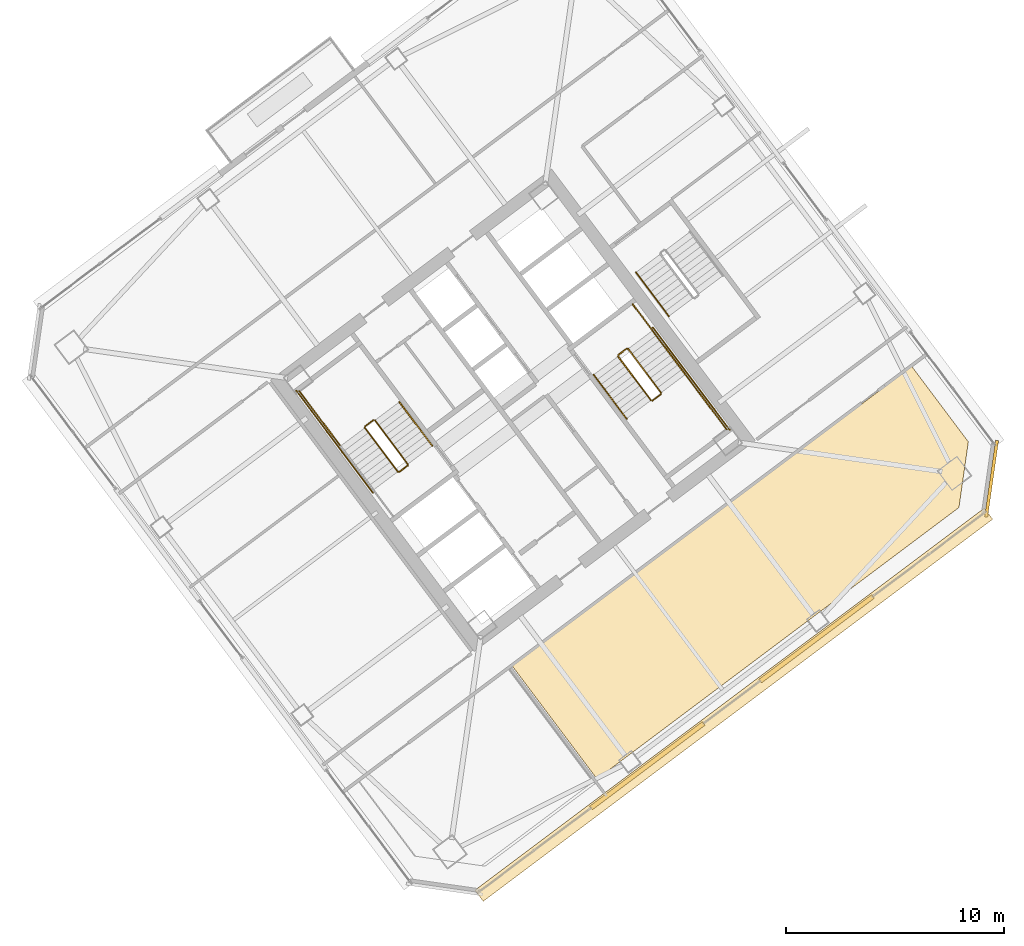
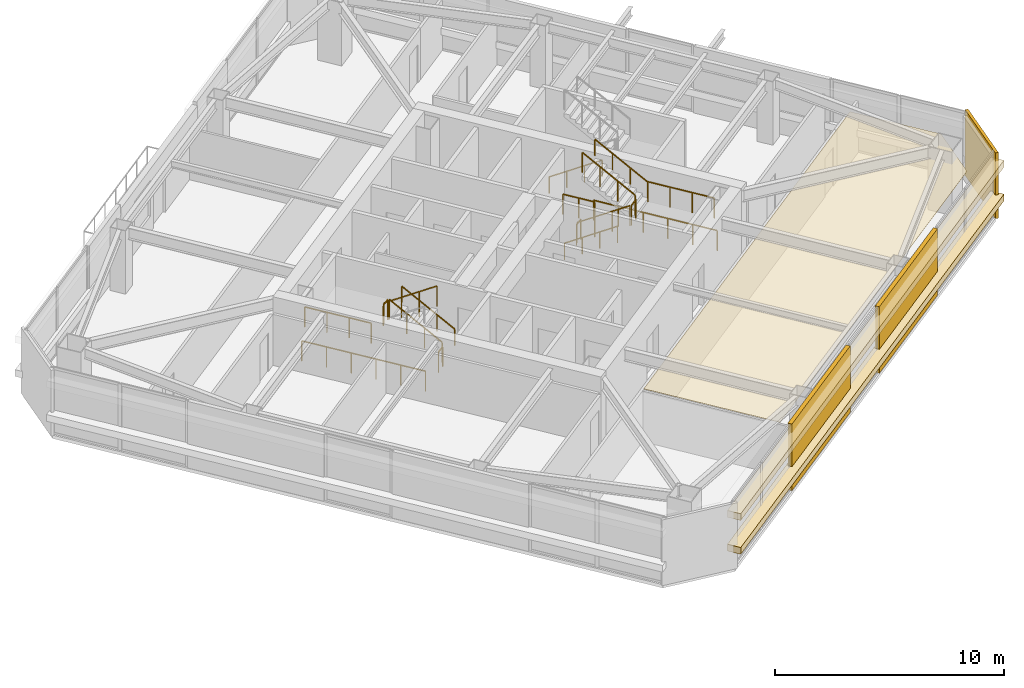
# One storey, part 42 of 44: 17 railings, 6 coverings.
"""IFC4 building model written with IfcOpenShell, lengths in metres."""

from ifc_helpers import new_model, si_unit, direction, frame, origin, origin_2d, place, context, subcontext, project, spatial, polyline, rectangle, outline, extrude, material, layer, layer_set, type_object, element, save


model = new_model("IFC4")

# Units and contexts
model_context = context("Model", 3, precision=1e-05, world=origin(), true_north=direction((0.0, 1.0)))
body_context = subcontext(model_context, "Body", "Model", "MODEL_VIEW")
ifc_project = project(units=[si_unit("LENGTHUNIT", "METRE"), si_unit("AREAUNIT", "SQUARE_METRE"), si_unit("VOLUMEUNIT", "CUBIC_METRE"), si_unit("PLANEANGLEUNIT", "RADIAN"), si_unit("MASSUNIT", "GRAM", prefix="KILO")], contexts=[model_context])

# Site, building, storey
site_placement = place(None, origin())
site = spatial("IfcSite", under=ifc_project, at=site_placement, CompositionType="ELEMENT")
building_placement = place(site_placement, origin())
building = spatial("IfcBuilding", under=site, at=building_placement, Name="Tashvorn Skyway Center", CompositionType="ELEMENT")
storey_placement = place(building_placement, frame((0.0, 0.0, 181.85009765625)))
storey = spatial("IfcBuildingStorey", under=building, at=storey_placement, Name="L49", CompositionType="ELEMENT", Elevation=181.85009765625)

# Coverings
ifc_material_1 = material(Name="Precast concrete C40/50", Category="concrete")
ifc_layer_1 = layer(ifc_material_1, 0.199951171875)
ifc_layer_set_1 = layer_set([ifc_layer_1], Name="Precast concrete C40/50")
covering_type_1 = type_object("IfcCoveringType", Name="COV-BRACE-CLAD", PredefinedType="CLADDING", material=ifc_layer_set_1)
for number, where, z_axis, x_axis, name in (
    (1, (127.9560546875, 21.491943359375, 0.0), (0.0, 0.0, 1.0), (-0.799999996291, -0.600000004945, 0.0), "Tower 2 L49 South Unitised Curtain Wall Mega-Brace Cladding Band 1"),
    (2, (120.179931640625, 15.659912109375, 0.0), (0.0, 0.0, 1.0), (-0.799999996291, -0.600000004945, 0.0), "Tower 2 L49 South Unitised Curtain Wall Mega-Brace Cladding Band 2"),
):
    element("IfcCovering", number, at=place(storey_placement, frame(where, z_axis=z_axis, x_axis=x_axis)), inside=storey, type_object=covering_type_1, Name=name, PredefinedType="CLADDING", context=body_context, shape_type="SweptSolid", body=[
        extrude(rectangle(XDim=6.47998046875, YDim=0.199951171875, at=origin_2d()), origin(), (0.0, 0.0, 1.0), 3.550048828125),
    ])
ifc_material_2 = material(Name="Mineral-fibre acoustic ceiling tile on suspended grid")
ifc_layer_2 = layer(ifc_material_2, 0.02001953125)
ifc_layer_set_2 = layer_set([ifc_layer_2], Name="Mineral-fibre acoustic ceiling tile on suspended grid")
covering_type_2 = type_object("IfcCoveringType", Name="COV-CEIL-20", PredefinedType="CEILING", material=ifc_layer_set_2)
covering_1_placement = place(storey_placement, frame((0.0, 0.0, 2.702880859375)))
element("IfcCovering", 3, at=covering_1_placement, inside=storey, type_object=covering_type_2, Name="Tower 2 L49 Security Control Room Acoustic Ceiling", PredefinedType="CEILING", context=body_context, shape_type="SweptSolid", body=[
    extrude(outline(polyline([(117.864013671875, 15.048095703125), (113.969970703125, 20.239990234375), (132.337890625, 34.01611328125), (134.93603515625, 30.552001953125), (134.50390625, 27.528076171875), (117.864013671875, 15.048095703125)])), origin(), (0.0, 0.0, 1.0), 0.02001953125),
])
ifc_material_3 = material(Name="Perforated ceramic-coated bronze aluminium solar screen", Category="aluminium")
ifc_layer_3 = layer(ifc_material_3, 0.85009765625)
ifc_layer_set_3 = layer_set([ifc_layer_3], Name="Perforated ceramic-coated bronze aluminium solar screen")
covering_type_3 = type_object("IfcCoveringType", Name="COV-SOLAR-BAND", PredefinedType="CLADDING", material=ifc_layer_set_3)
for number, where, z_axis, x_axis, name in (
    (4, (124.152099609375, 18.464111328125, 0.919921875), (0.0, 0.0, 1.0), (-0.799999996291, -0.600000004945, 0.0), "L49 Perforated Ceramic-Metal Solar Screen Louvre Band South 1"),
    (5, (124.152099609375, 18.464111328125, 2.7197265625), (0.0, 0.0, 1.0), (-0.799999996291, -0.600000004945, 0.0), "L49 Perforated Ceramic-Metal Solar Screen Louvre Band South 2"),
):
    element("IfcCovering", number, at=place(storey_placement, frame(where, z_axis=z_axis, x_axis=x_axis)), inside=storey, type_object=covering_type_3, Name=name, PredefinedType="CLADDING", context=body_context, shape_type="SweptSolid", body=[
        extrude(rectangle(XDim=29.280029296875, YDim=0.639892578125, at=origin_2d()), origin(), (0.0, 0.0, 1.0), 0.360107421875),
    ])
ifc_layer_4 = layer(ifc_material_1, 0.35009765625)
ifc_layer_set_4 = layer_set([ifc_layer_4], Name="Precast concrete C40/50")
covering_type_4 = type_object("IfcCoveringType", Name="COV-STONE-TRIM", PredefinedType="CLADDING", material=ifc_layer_set_4)
covering_2_placement = place(storey_placement, frame((136.008056640625, 28.85595703125, 0.02001953125), z_axis=(0.0, 0.0, 1.0), x_axis=(0.141421350118, 0.989949494535, 0.0)))
element("IfcCovering", 6, at=covering_2_placement, inside=storey, type_object=covering_type_4, Name="Tower 2 L49 SE Mojave Limestone Corner Quoin", PredefinedType="CLADDING", context=body_context, shape_type="SweptSolid", body=[
    extrude(rectangle(XDim=3.55419921875, YDim=0.139892578125, at=origin_2d()), origin(), (0.0, 0.0, 1.0), 3.510009765625),
])

# Railings
ifc_material_4 = material(Name="Brushed stainless steel 316", Category="steel")
railing_type_1 = type_object("IfcRailingType", Name="RAIL-HAND-920", PredefinedType="HANDRAIL", material=ifc_material_4)
railing_1_placement = place(storey_placement, frame((110.2880859375, 30.365966796875, 0.177490234375)))
element("IfcRailing", 7, at=railing_1_placement, inside=storey, type_object=railing_type_1, Name="L49 ST-T2-1 stair handrail 1", PredefinedType="HANDRAIL", context=body_context, shape_type="SweptSolid", body=[
    extrude(rectangle(XDim=0.048095703125, YDim=0.048095703125, at=origin_2d()), frame((0.0, 0.0, 0.8759765625), z_axis=(-0.506801609611, 0.675680931896, 0.535357270211), x_axis=(-0.799976749893, -0.600030998891, 0.0)), (0.0, 0.0, 1.0), 2.98388671875),
    extrude(rectangle(XDim=0.0419921875, YDim=0.0419921875, at=origin_2d()), origin(), (0.0, 0.0, 1.0), 0.851806640625),
    extrude(rectangle(XDim=0.0419921875, YDim=0.0419921875, at=origin_2d()), frame((-0.504150390625, 0.672119140625, 0.532470703125)), (0.0, 0.0, 1.0), 0.851806640625),
    extrude(rectangle(XDim=0.0419921875, YDim=0.0419921875, at=origin_2d()), frame((-1.008056640625, 1.343994140625, 1.06494140625)), (0.0, 0.0, 1.0), 0.851806640625),
    extrude(rectangle(XDim=0.0419921875, YDim=0.0419921875, at=origin_2d()), frame((-1.51220703125, 2.01611328125, 1.597412109375)), (0.0, 0.0, 1.0), 0.851806640625),
])
railing_2_placement = place(storey_placement, frame((117.7119140625, 33.634033203125, 0.177490234375)))
element("IfcRailing", 8, at=railing_2_placement, inside=storey, type_object=railing_type_1, Name="L49 ST-T2-2 stair handrail 1", PredefinedType="HANDRAIL", context=body_context, shape_type="SweptSolid", body=[
    extrude(rectangle(XDim=0.048095703125, YDim=0.048095703125, at=origin_2d()), frame((0.0, 0.0, 0.8759765625), z_axis=(0.506801609611, -0.675680931896, 0.535357270211), x_axis=(0.799976749893, 0.600030998891, 0.0)), (0.0, 0.0, 1.0), 2.98388671875),
    extrude(rectangle(XDim=0.0419921875, YDim=0.0419921875, at=origin_2d()), origin(), (0.0, 0.0, 1.0), 0.851806640625),
    extrude(rectangle(XDim=0.0419921875, YDim=0.0419921875, at=origin_2d()), frame((0.504150390625, -0.672119140625, 0.532470703125)), (0.0, 0.0, 1.0), 0.851806640625),
    extrude(rectangle(XDim=0.0419921875, YDim=0.0419921875, at=origin_2d()), frame((1.008056640625, -1.343994140625, 1.06494140625)), (0.0, 0.0, 1.0), 0.851806640625),
    extrude(rectangle(XDim=0.0419921875, YDim=0.0419921875, at=origin_2d()), frame((1.51220703125, -2.01611328125, 1.597412109375)), (0.0, 0.0, 1.0), 0.851806640625),
])
railing_3_placement = place(storey_placement, frame((121.927978515625, 33.64599609375, 1.952392578125)))
element("IfcRailing", 9, at=railing_3_placement, inside=storey, type_object=railing_type_1, Name="L49 ST-T2-2 stair handrail 2", PredefinedType="HANDRAIL", context=body_context, shape_type="SweptSolid", body=[
    extrude(rectangle(XDim=0.048095703125, YDim=0.048095703125, at=origin_2d()), frame((0.0, 0.0, 0.8759765625), z_axis=(-0.506740800098, 0.675708949977, 0.535379469569), x_axis=(-0.800023250257, -0.599968998406, 0.0)), (0.0, 0.0, 1.0), 2.983642578125),
    extrude(rectangle(XDim=0.0419921875, YDim=0.0419921875, at=origin_2d()), origin(), (0.0, 0.0, 1.0), 0.851806640625),
    extrude(rectangle(XDim=0.0419921875, YDim=0.0419921875, at=origin_2d()), frame((-0.50390625, 0.672119140625, 0.532470703125)), (0.0, 0.0, 1.0), 0.851806640625),
    extrude(rectangle(XDim=0.0419921875, YDim=0.0419921875, at=origin_2d()), frame((-1.008056640625, 1.343994140625, 1.06494140625)), (0.0, 0.0, 1.0), 0.851806640625),
    extrude(rectangle(XDim=0.0419921875, YDim=0.0419921875, at=origin_2d()), frame((-1.511962890625, 2.01611328125, 1.597412109375)), (0.0, 0.0, 1.0), 0.851806640625),
])
railing_4_placement = place(storey_placement, frame((119.656005859375, 38.342041015625, 0.177490234375)))
element("IfcRailing", 10, at=railing_4_placement, inside=storey, type_object=railing_type_1, Name="L49 ST-T2-3 stair handrail 1", PredefinedType="HANDRAIL", context=body_context, shape_type="SweptSolid", body=[
    extrude(rectangle(XDim=0.048095703125, YDim=0.048095703125, at=origin_2d()), frame((0.0, 0.0, 0.8759765625), z_axis=(0.506740800098, -0.675708949977, 0.535379469569), x_axis=(0.800023250257, 0.599968998406, 0.0)), (0.0, 0.0, 1.0), 2.983642578125),
    extrude(rectangle(XDim=0.0419921875, YDim=0.0419921875, at=origin_2d()), origin(), (0.0, 0.0, 1.0), 0.851806640625),
    extrude(rectangle(XDim=0.0419921875, YDim=0.0419921875, at=origin_2d()), frame((0.50390625, -0.672119140625, 0.532470703125)), (0.0, 0.0, 1.0), 0.851806640625),
    extrude(rectangle(XDim=0.0419921875, YDim=0.0419921875, at=origin_2d()), frame((1.008056640625, -1.343994140625, 1.06494140625)), (0.0, 0.0, 1.0), 0.851806640625),
    extrude(rectangle(XDim=0.0419921875, YDim=0.0419921875, at=origin_2d()), frame((1.511962890625, -2.01611328125, 1.597412109375)), (0.0, 0.0, 1.0), 0.851806640625),
])
ifc_material_5 = material(Name="Painted galvanized steel S355", Category="steel")
railing_type_2 = type_object("IfcRailingType", Name="RAIL-STGUARD-1100", PredefinedType="GUARDRAIL", material=ifc_material_5)
railing_5_placement = place(storey_placement, frame((109.16796875, 29.52587890625, 0.177490234375)))
element("IfcRailing", 11, at=railing_5_placement, inside=storey, type_object=railing_type_2, Name="L49 ST-T2-1 stair guard 1", PredefinedType="GUARDRAIL", context=body_context, shape_type="SweptSolid", body=[
    extrude(rectangle(XDim=0.048095703125, YDim=0.048095703125, at=origin_2d()), frame((0.0, 0.0, 1.076171875), z_axis=(-0.506740800098, 0.675708949977, 0.535379469569), x_axis=(-0.800023250257, -0.599968998406, 0.0)), (0.0, 0.0, 1.0), 2.983642578125),
    extrude(rectangle(XDim=0.0419921875, YDim=0.0419921875, at=origin_2d()), origin(), (0.0, 0.0, 1.0), 1.052001953125),
    extrude(rectangle(XDim=0.0419921875, YDim=0.0419921875, at=origin_2d()), frame((-0.50390625, 0.672119140625, 0.532470703125)), (0.0, 0.0, 1.0), 1.052001953125),
    extrude(rectangle(XDim=0.0419921875, YDim=0.0419921875, at=origin_2d()), frame((-1.008056640625, 1.343994140625, 1.06494140625)), (0.0, 0.0, 1.0), 1.052001953125),
    extrude(rectangle(XDim=0.0419921875, YDim=0.0419921875, at=origin_2d()), frame((-1.511962890625, 2.01611328125, 1.597412109375)), (0.0, 0.0, 1.0), 1.052001953125),
])
railing_6_placement = place(storey_placement, frame((107.5859375, 31.552001953125, 1.77490234375)))
element("IfcRailing", 12, at=railing_6_placement, inside=storey, type_object=railing_type_2, Name="L49 ST-T2-1 stair guard 2", PredefinedType="GUARDRAIL", context=body_context, shape_type="SweptSolid", body=[
    extrude(rectangle(XDim=0.048095703125, YDim=0.048095703125, at=origin_2d()), frame((0.0, 0.0, 1.076171875), z_axis=(-0.799938970639, -0.600081363861, 0.0), x_axis=(0.600081363861, -0.799938970639, 0.0)), (0.0, 0.0, 1.0), 0.47998046875),
    extrude(rectangle(XDim=0.0419921875, YDim=0.0419921875, at=origin_2d()), origin(), (0.0, 0.0, 1.0), 1.052001953125),
    extrude(rectangle(XDim=0.0419921875, YDim=0.0419921875, at=origin_2d()), frame((-0.384033203125, -0.2880859375, 0.0)), (0.0, 0.0, 1.0), 1.052001953125),
])
railing_7_placement = place(storey_placement, frame((106.072021484375, 30.35400390625, 1.77490234375)))
element("IfcRailing", 13, at=railing_7_placement, inside=storey, type_object=railing_type_2, Name="L49 ST-T2-1 stair guard 3", PredefinedType="GUARDRAIL", context=body_context, shape_type="SweptSolid", body=[
    extrude(rectangle(XDim=0.048095703125, YDim=0.048095703125, at=origin_2d()), frame((0.0, 0.0, 1.076171875), z_axis=(-0.599987638607, 0.800009270896, 0.0), x_axis=(-0.800009270896, -0.599987638607, 0.0)), (0.0, 0.0, 1.0), 3.16015625),
    extrude(rectangle(XDim=0.0419921875, YDim=0.0419921875, at=origin_2d()), origin(), (0.0, 0.0, 1.0), 1.052001953125),
    extrude(rectangle(XDim=0.0419921875, YDim=0.0419921875, at=origin_2d()), frame((-0.632080078125, 0.8427734375, 0.0)), (0.0, 0.0, 1.0), 1.052001953125),
    extrude(rectangle(XDim=0.0419921875, YDim=0.0419921875, at=origin_2d()), frame((-1.263916015625, 1.685302734375, 0.0)), (0.0, 0.0, 1.0), 1.052001953125),
    extrude(rectangle(XDim=0.0419921875, YDim=0.0419921875, at=origin_2d()), frame((-1.89599609375, 2.528076171875, 0.0)), (0.0, 0.0, 1.0), 1.052001953125),
])
railing_8_placement = place(storey_placement, frame((107.19189453125, 31.194091796875, 1.952392578125)))
element("IfcRailing", 14, at=railing_8_placement, inside=storey, type_object=railing_type_2, Name="L49 ST-T2-1 stair guard 4", PredefinedType="GUARDRAIL", context=body_context, shape_type="SweptSolid", body=[
    extrude(rectangle(XDim=0.048095703125, YDim=0.048095703125, at=origin_2d()), frame((0.0, 0.0, 1.076171875), z_axis=(0.506801609611, -0.675680931896, 0.535357270211), x_axis=(0.799976749893, 0.600030998891, 0.0)), (0.0, 0.0, 1.0), 2.98388671875),
    extrude(rectangle(XDim=0.0419921875, YDim=0.0419921875, at=origin_2d()), origin(), (0.0, 0.0, 1.0), 1.052001953125),
    extrude(rectangle(XDim=0.0419921875, YDim=0.0419921875, at=origin_2d()), frame((0.504150390625, -0.672119140625, 0.532470703125)), (0.0, 0.0, 1.0), 1.052001953125),
    extrude(rectangle(XDim=0.0419921875, YDim=0.0419921875, at=origin_2d()), frame((1.008056640625, -1.343994140625, 1.06494140625)), (0.0, 0.0, 1.0), 1.052001953125),
    extrude(rectangle(XDim=0.0419921875, YDim=0.0419921875, at=origin_2d()), frame((1.51220703125, -2.01611328125, 1.597412109375)), (0.0, 0.0, 1.0), 1.052001953125),
])
railing_9_placement = place(storey_placement, frame((109.157958984375, 29.4560546875, 0.0)))
element("IfcRailing", 15, at=railing_9_placement, inside=storey, type_object=railing_type_2, Name="L49 ST-T2-1 stair guard 5", PredefinedType="GUARDRAIL", context=body_context, shape_type="SweptSolid", body=[
    extrude(rectangle(XDim=0.048095703125, YDim=0.048095703125, at=origin_2d()), frame((0.0, 0.0, 1.076171875), z_axis=(-0.799938970639, -0.600081363861, 0.0), x_axis=(0.600081363861, -0.799938970639, 0.0)), (0.0, 0.0, 1.0), 0.47998046875),
    extrude(rectangle(XDim=0.0419921875, YDim=0.0419921875, at=origin_2d()), origin(), (0.0, 0.0, 1.0), 1.052001953125),
    extrude(rectangle(XDim=0.0419921875, YDim=0.0419921875, at=origin_2d()), frame((-0.384033203125, -0.2880859375, 0.0)), (0.0, 0.0, 1.0), 1.052001953125),
])
railing_10_placement = place(storey_placement, frame((107.56396484375, 28.197998046875, 0.0)))
element("IfcRailing", 16, at=railing_10_placement, inside=storey, type_object=railing_type_2, Name="L49 ST-T2-1 stair guard 7", PredefinedType="GUARDRAIL", context=body_context, shape_type="SweptSolid", body=[
    extrude(rectangle(XDim=0.048095703125, YDim=0.048095703125, at=origin_2d()), frame((0.0, 0.0, 1.076171875), z_axis=(-0.6, 0.8, 0.0), x_axis=(-0.8, -0.6, 0.0)), (0.0, 0.0, 1.0), 5.880126953125),
    extrude(rectangle(XDim=0.0419921875, YDim=0.0419921875, at=origin_2d()), origin(), (0.0, 0.0, 1.0), 1.052001953125),
    extrude(rectangle(XDim=0.0419921875, YDim=0.0419921875, at=origin_2d()), frame((-0.70556640625, 0.94091796875, 0.0)), (0.0, 0.0, 1.0), 1.052001953125),
    extrude(rectangle(XDim=0.0419921875, YDim=0.0419921875, at=origin_2d()), frame((-1.4111328125, 1.881591796875, 0.0)), (0.0, 0.0, 1.0), 1.052001953125),
    extrude(rectangle(XDim=0.0419921875, YDim=0.0419921875, at=origin_2d()), frame((-2.116943359375, 2.822509765625, 0.0)), (0.0, 0.0, 1.0), 1.052001953125),
    extrude(rectangle(XDim=0.0419921875, YDim=0.0419921875, at=origin_2d()), frame((-2.822509765625, 3.76318359375, 0.0)), (0.0, 0.0, 1.0), 1.052001953125),
    extrude(rectangle(XDim=0.0419921875, YDim=0.0419921875, at=origin_2d()), frame((-3.528076171875, 4.7041015625, 0.0)), (0.0, 0.0, 1.0), 1.052001953125),
])
railing_11_placement = place(storey_placement, frame((118.83203125, 34.47412109375, 0.177490234375)))
element("IfcRailing", 17, at=railing_11_placement, inside=storey, type_object=railing_type_2, Name="L49 ST-T2-2 stair guard 1", PredefinedType="GUARDRAIL", context=body_context, shape_type="SweptSolid", body=[
    extrude(rectangle(XDim=0.048095703125, YDim=0.048095703125, at=origin_2d()), frame((0.0, 0.0, 1.076171875), z_axis=(0.506740800098, -0.675708949977, 0.535379469569), x_axis=(0.800023250257, 0.599968998406, 0.0)), (0.0, 0.0, 1.0), 2.983642578125),
    extrude(rectangle(XDim=0.0419921875, YDim=0.0419921875, at=origin_2d()), origin(), (0.0, 0.0, 1.0), 1.052001953125),
    extrude(rectangle(XDim=0.0419921875, YDim=0.0419921875, at=origin_2d()), frame((0.50390625, -0.672119140625, 0.532470703125)), (0.0, 0.0, 1.0), 1.052001953125),
    extrude(rectangle(XDim=0.0419921875, YDim=0.0419921875, at=origin_2d()), frame((1.008056640625, -1.343994140625, 1.06494140625)), (0.0, 0.0, 1.0), 1.052001953125),
    extrude(rectangle(XDim=0.0419921875, YDim=0.0419921875, at=origin_2d()), frame((1.511962890625, -2.01611328125, 1.597412109375)), (0.0, 0.0, 1.0), 1.052001953125),
])
railing_12_placement = place(storey_placement, frame((120.4140625, 32.447998046875, 1.77490234375)))
element("IfcRailing", 18, at=railing_12_placement, inside=storey, type_object=railing_type_2, Name="L49 ST-T2-2 stair guard 2", PredefinedType="GUARDRAIL", context=body_context, shape_type="SweptSolid", body=[
    extrude(rectangle(XDim=0.048095703125, YDim=0.048095703125, at=origin_2d()), frame((0.0, 0.0, 1.076171875), z_axis=(0.799938970639, 0.600081363861, 0.0), x_axis=(-0.600081363861, 0.799938970639, 0.0)), (0.0, 0.0, 1.0), 0.47998046875),
    extrude(rectangle(XDim=0.0419921875, YDim=0.0419921875, at=origin_2d()), origin(), (0.0, 0.0, 1.0), 1.052001953125),
    extrude(rectangle(XDim=0.0419921875, YDim=0.0419921875, at=origin_2d()), frame((0.384033203125, 0.2880859375, 0.0)), (0.0, 0.0, 1.0), 1.052001953125),
])
railing_13_placement = place(storey_placement, frame((121.927978515625, 33.64599609375, 1.77490234375)))
element("IfcRailing", 19, at=railing_13_placement, inside=storey, type_object=railing_type_2, Name="L49 ST-T2-2 stair guard 3", PredefinedType="GUARDRAIL", context=body_context, shape_type="SweptSolid", body=[
    extrude(rectangle(XDim=0.048095703125, YDim=0.048095703125, at=origin_2d()), frame((0.0, 0.0, 1.076171875), z_axis=(0.599987638607, -0.800009270896, 0.0), x_axis=(0.800009270896, 0.599987638607, 0.0)), (0.0, 0.0, 1.0), 3.16015625),
    extrude(rectangle(XDim=0.0419921875, YDim=0.0419921875, at=origin_2d()), origin(), (0.0, 0.0, 1.0), 1.052001953125),
    extrude(rectangle(XDim=0.0419921875, YDim=0.0419921875, at=origin_2d()), frame((0.632080078125, -0.8427734375, 0.0)), (0.0, 0.0, 1.0), 1.052001953125),
    extrude(rectangle(XDim=0.0419921875, YDim=0.0419921875, at=origin_2d()), frame((1.263916015625, -1.685302734375, 0.0)), (0.0, 0.0, 1.0), 1.052001953125),
    extrude(rectangle(XDim=0.0419921875, YDim=0.0419921875, at=origin_2d()), frame((1.89599609375, -2.528076171875, 0.0)), (0.0, 0.0, 1.0), 1.052001953125),
])
railing_14_placement = place(storey_placement, frame((120.80810546875, 32.805908203125, 1.952392578125)))
element("IfcRailing", 20, at=railing_14_placement, inside=storey, type_object=railing_type_2, Name="L49 ST-T2-2 stair guard 4", PredefinedType="GUARDRAIL", context=body_context, shape_type="SweptSolid", body=[
    extrude(rectangle(XDim=0.048095703125, YDim=0.048095703125, at=origin_2d()), frame((0.0, 0.0, 1.076171875), z_axis=(-0.506801609611, 0.675680931896, 0.535357270211), x_axis=(-0.799976749893, -0.600030998891, 0.0)), (0.0, 0.0, 1.0), 2.98388671875),
    extrude(rectangle(XDim=0.0419921875, YDim=0.0419921875, at=origin_2d()), origin(), (0.0, 0.0, 1.0), 1.052001953125),
    extrude(rectangle(XDim=0.0419921875, YDim=0.0419921875, at=origin_2d()), frame((-0.504150390625, 0.672119140625, 0.532470703125)), (0.0, 0.0, 1.0), 1.052001953125),
    extrude(rectangle(XDim=0.0419921875, YDim=0.0419921875, at=origin_2d()), frame((-1.008056640625, 1.343994140625, 1.06494140625)), (0.0, 0.0, 1.0), 1.052001953125),
    extrude(rectangle(XDim=0.0419921875, YDim=0.0419921875, at=origin_2d()), frame((-1.51220703125, 2.01611328125, 1.597412109375)), (0.0, 0.0, 1.0), 1.052001953125),
])
railing_15_placement = place(storey_placement, frame((118.842041015625, 34.5439453125, 0.0)))
element("IfcRailing", 21, at=railing_15_placement, inside=storey, type_object=railing_type_2, Name="L49 ST-T2-2 stair guard 5", PredefinedType="GUARDRAIL", context=body_context, shape_type="SweptSolid", body=[
    extrude(rectangle(XDim=0.048095703125, YDim=0.048095703125, at=origin_2d()), frame((0.0, 0.0, 1.076171875), z_axis=(0.799938970639, 0.600081363861, 0.0), x_axis=(-0.600081363861, 0.799938970639, 0.0)), (0.0, 0.0, 1.0), 0.47998046875),
    extrude(rectangle(XDim=0.0419921875, YDim=0.0419921875, at=origin_2d()), origin(), (0.0, 0.0, 1.0), 1.052001953125),
    extrude(rectangle(XDim=0.0419921875, YDim=0.0419921875, at=origin_2d()), frame((0.384033203125, 0.2880859375, 0.0)), (0.0, 0.0, 1.0), 1.052001953125),
])
railing_16_placement = place(storey_placement, frame((119.50390625, 36.8779296875, 0.0)))
element("IfcRailing", 22, at=railing_16_placement, inside=storey, type_object=railing_type_2, Name="L49 ST-T2-2 stair guard 6", PredefinedType="GUARDRAIL", context=body_context, shape_type="SweptSolid", body=[
    extrude(rectangle(XDim=0.048095703125, YDim=0.048095703125, at=origin_2d()), frame((0.0, 0.0, 1.076171875), z_axis=(0.600102796382, -0.799922892393, 0.0), x_axis=(0.799922892393, 0.600102796382, 0.0)), (0.0, 0.0, 1.0), 1.52001953125),
    extrude(rectangle(XDim=0.0419921875, YDim=0.0419921875, at=origin_2d()), origin(), (0.0, 0.0, 1.0), 1.052001953125),
    extrude(rectangle(XDim=0.0419921875, YDim=0.0419921875, at=origin_2d()), frame((0.4560546875, -0.60791015625, 0.0)), (0.0, 0.0, 1.0), 1.052001953125),
    extrude(rectangle(XDim=0.0419921875, YDim=0.0419921875, at=origin_2d()), frame((0.912109375, -1.2158203125, 0.0)), (0.0, 0.0, 1.0), 1.052001953125),
])
railing_17_placement = place(storey_placement, frame((120.43603515625, 35.802001953125, 0.0)))
element("IfcRailing", 23, at=railing_17_placement, inside=storey, type_object=railing_type_2, Name="L49 ST-T2-2 stair guard 7", PredefinedType="GUARDRAIL", context=body_context, shape_type="SweptSolid", body=[
    extrude(rectangle(XDim=0.048095703125, YDim=0.048095703125, at=origin_2d()), frame((0.0, 0.0, 1.076171875), z_axis=(0.6, -0.8, 0.0), x_axis=(0.8, 0.6, 0.0)), (0.0, 0.0, 1.0), 5.880126953125),
    extrude(rectangle(XDim=0.0419921875, YDim=0.0419921875, at=origin_2d()), origin(), (0.0, 0.0, 1.0), 1.052001953125),
    extrude(rectangle(XDim=0.0419921875, YDim=0.0419921875, at=origin_2d()), frame((0.70556640625, -0.94091796875, 0.0)), (0.0, 0.0, 1.0), 1.052001953125),
    extrude(rectangle(XDim=0.0419921875, YDim=0.0419921875, at=origin_2d()), frame((1.4111328125, -1.881591796875, 0.0)), (0.0, 0.0, 1.0), 1.052001953125),
    extrude(rectangle(XDim=0.0419921875, YDim=0.0419921875, at=origin_2d()), frame((2.116943359375, -2.822509765625, 0.0)), (0.0, 0.0, 1.0), 1.052001953125),
    extrude(rectangle(XDim=0.0419921875, YDim=0.0419921875, at=origin_2d()), frame((2.822509765625, -3.76318359375, 0.0)), (0.0, 0.0, 1.0), 1.052001953125),
    extrude(rectangle(XDim=0.0419921875, YDim=0.0419921875, at=origin_2d()), frame((3.528076171875, -4.7041015625, 0.0)), (0.0, 0.0, 1.0), 1.052001953125),
])

save(model, "model.ifc")
